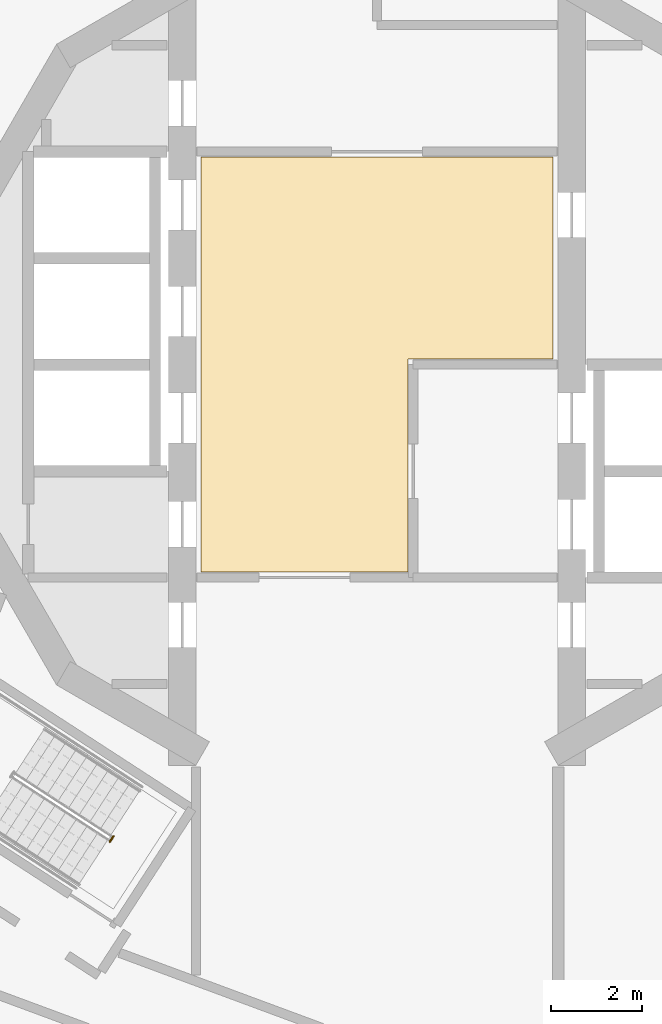
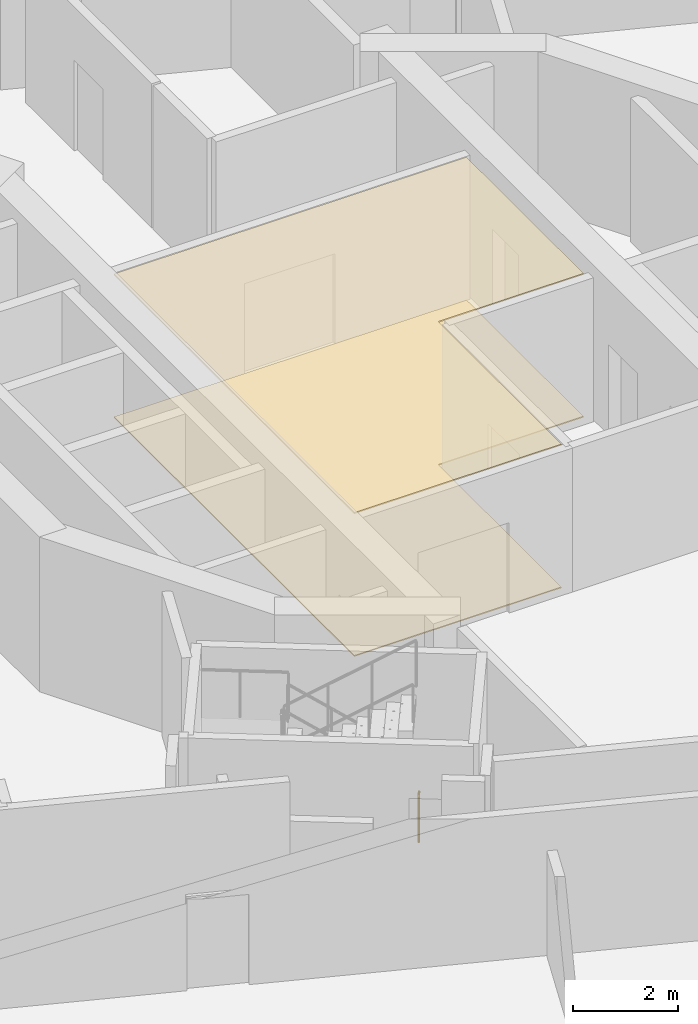
# One storey, part 14 of 20: 2 coverings, 1 railing.
"""IFC4 building model written with IfcOpenShell, lengths in metres."""

from ifc_helpers import new_model, si_unit, direction, frame, origin, origin_2d, place, context, subcontext, project, spatial, polyline, circle, outline, extrude, material, layer, layer_set, type_object, element, save


model = new_model("IFC4")

# Units and contexts
model_context = context("Model", 3, precision=1e-05, world=origin(), true_north=direction((0.0, 1.0)))
body_context = subcontext(model_context, "Body", "Model", "MODEL_VIEW")
ifc_project = project(units=[si_unit("LENGTHUNIT", "METRE"), si_unit("AREAUNIT", "SQUARE_METRE"), si_unit("VOLUMEUNIT", "CUBIC_METRE"), si_unit("PLANEANGLEUNIT", "RADIAN"), si_unit("MASSUNIT", "GRAM", prefix="KILO")], contexts=[model_context])

# Site, building, storey
site_placement = place(None, origin())
site = spatial("IfcSite", under=ifc_project, at=site_placement, CompositionType="ELEMENT")
building_placement = place(site_placement, origin())
building = spatial("IfcBuilding", under=site, at=building_placement, Name="Cantera Rosa Tower", CompositionType="ELEMENT")
storey_placement = place(building_placement, frame((0.0, 0.0, 306.10009765625)))
storey = spatial("IfcBuildingStorey", under=building, at=storey_placement, Name="L67", CompositionType="ELEMENT", Elevation=306.10009765625)

# Railing
ifc_material_1 = material(Name="Steel S355J2 (EN 10025-2)", Category="steel")
railing_type = type_object("IfcRailingType", Name="STAIR GUARD 1100", PredefinedType="GUARDRAIL", material=ifc_material_1)
railing_placement = place(storey_placement, frame((-5.8173828125, -10.408447265625, 0.0)))
element("IfcRailing", 1, at=railing_placement, inside=storey, type_object=railing_type, Name="L67 ST-64 stair guard 3", PredefinedType="GUARDRAIL", context=body_context, shape_type="SweptSolid", body=[
    extrude(circle(Radius=0.02392578125, at=origin_2d()), frame((0.0, 0.0, 1.076171875), z_axis=(-0.543386185195, -0.839482848984, 0.0), x_axis=(0.839482848984, -0.543386185195, 0.0)), (0.0, 0.0, 1.0), 0.150146484375),
    extrude(circle(Radius=0.02099609375, at=origin_2d()), origin(), (0.0, 0.0, 1.0), 1.052001953125),
    extrude(circle(Radius=0.02099609375, at=origin_2d()), frame((-0.08154296875, -0.1259765625, 0.0)), (0.0, 0.0, 1.0), 1.052001953125),
])

# Coverings
ifc_material_2 = material(Name="Limestone paving", Category="masonry")
ifc_layer_1 = layer(ifc_material_2, 0.02490234375)
ifc_layer_set_1 = layer_set([ifc_layer_1], Name="STONE FLOOR FINISH 25")
covering_type_1 = type_object("IfcCoveringType", Name="STONE FLOOR FINISH 25", PredefinedType="FLOORING", material=ifc_layer_set_1)
covering_1_placement = place(storey_placement, origin())
element("IfcCovering", 2, at=covering_1_placement, inside=storey, type_object=covering_type_1, Name="STONE FLOOR FINISH L67", PredefinedType="FLOORING", context=body_context, shape_type="SweptSolid", body=[
    extrude(outline(polyline([(3.8798828125, 4.580078125), (3.8798828125, 0.1201171875), (0.679931640625, 0.1201171875), (0.679931640625, -4.580078125), (-3.8798828125, -4.580078125), (-3.8798828125, 4.580078125), (3.8798828125, 4.580078125)])), origin(), (0.0, 0.0, 1.0), 0.02490234375),
])
ifc_material_3 = material(Name="Gypsum ceiling tile")
ifc_layer_2 = layer(ifc_material_3, 0.030029296875)
ifc_layer_set_2 = layer_set([ifc_layer_2], Name="SUSPENDED CEILING 30")
covering_type_2 = type_object("IfcCoveringType", Name="SUSPENDED CEILING 30", PredefinedType="CEILING", material=ifc_layer_set_2)
covering_2_placement = place(storey_placement, frame((0.0, 0.0, 3.31982421875)))
element("IfcCovering", 3, at=covering_2_placement, inside=storey, type_object=covering_type_2, Name="SUSPENDED CEILING L67", PredefinedType="CEILING", context=body_context, shape_type="SweptSolid", body=[
    extrude(outline(polyline([(3.8798828125, 4.580078125), (3.8798828125, 0.1201171875), (0.679931640625, 0.1201171875), (0.679931640625, -4.580078125), (-3.8798828125, -4.580078125), (-3.8798828125, 4.580078125), (3.8798828125, 4.580078125)])), origin(), (0.0, 0.0, 1.0), 0.030029296875),
])

save(model, "model.ifc")
